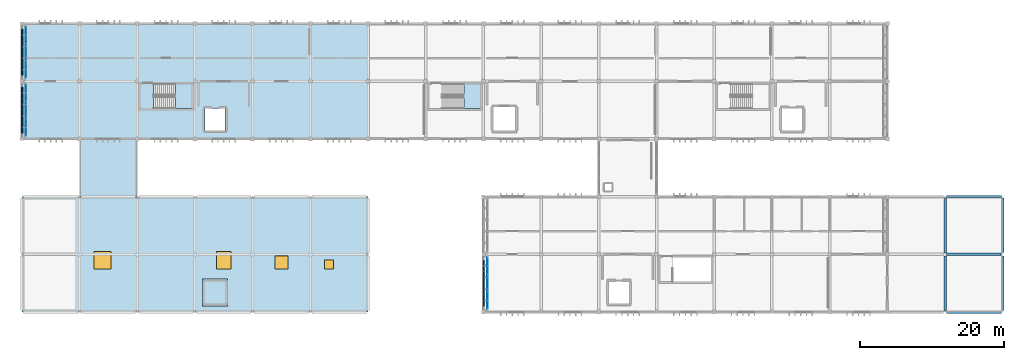
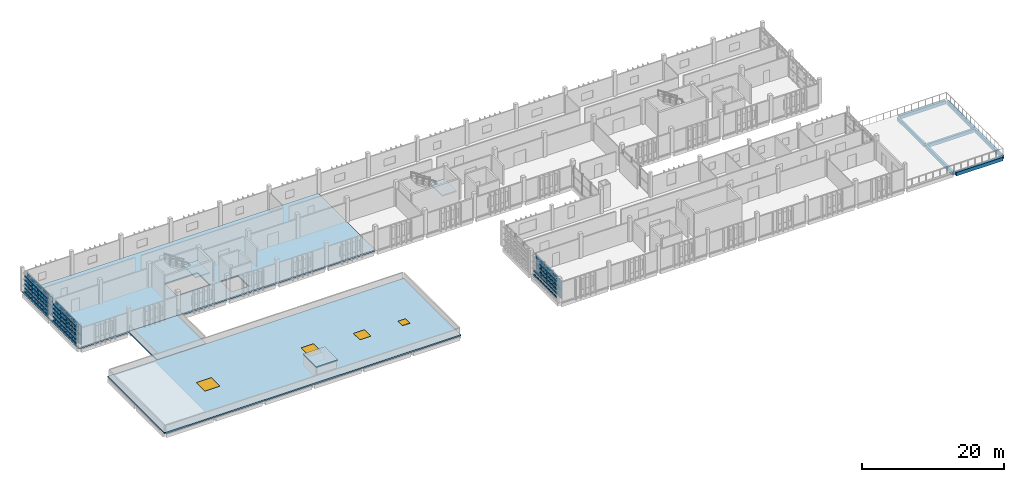
# One storey, part 17 of 32: 75 plates, 7 beams, 6 slabs, 3 windows, 1 door, 4 openings, 5 elements without a shape of their own.
"""IFC4 building model written with IfcOpenShell, lengths in metres."""

from ifc_helpers import new_model, si_unit, direction, frame, origin, origin_2d, place, context, subcontext, project, spatial, polyline, rectangle, outline, extrude, material, layer, layer_set, material_profile, profile_set, type_object, element, fill, aggregate, save


model = new_model("IFC4")

# Units and contexts
model_context = context("Model", 3, precision=1e-05, world=origin(), true_north=direction((0.0, 1.0)))
body_context = subcontext(model_context, "Body", "Model", "MODEL_VIEW")
ifc_project = project(units=[si_unit("LENGTHUNIT", "METRE"), si_unit("AREAUNIT", "SQUARE_METRE"), si_unit("VOLUMEUNIT", "CUBIC_METRE"), si_unit("PLANEANGLEUNIT", "RADIAN"), si_unit("MASSUNIT", "GRAM", prefix="KILO")], contexts=[model_context])

# Site, building, storey
site_placement = place(None, origin())
site = spatial("IfcSite", under=ifc_project, at=site_placement, CompositionType="ELEMENT")
building_placement = place(site_placement, origin())
building = spatial("IfcBuilding", under=site, at=building_placement, Name="Jelvoka-Kovrelna Polytechnic", CompositionType="ELEMENT")
storey_placement = place(building_placement, frame((0.0, 0.0, 26.39990234375)))
storey = spatial("IfcBuildingStorey", under=building, at=storey_placement, Name="L07", CompositionType="ELEMENT", Elevation=26.39990234375)

# Beams
ifc_material_1 = material(Name="Concrete C35/45", Category="concrete")
ifc_material_profile_1 = material_profile(ifc_material_1, rectangle(XDim=0.35009765625, YDim=0.60009765625, at=origin_2d()), Name="RC 350x600")
ifc_profile_set_1 = profile_set([ifc_material_profile_1], Name="Concrete C35/45")
beam_type_1 = type_object("IfcBeamType", Name="Beam_RC_350x600", PredefinedType="BEAM", material=ifc_profile_set_1)
for number, where, z_axis, x_axis, name in (
    (1, (192.205078125, 40.0, -0.52001953125), (1.0, 0.0, 0.0), (0.0, 1.0, 0.0), "L07 beam 1906"),
    (2, (192.0, 32.22998046875, -0.52001953125), (0.0, 1.0, 0.0), (-1.0, 0.0, 0.0), "L07 beam 1909"),
    (3, (192.0, 40.205078125, -0.52001953125), (0.0, 1.0, 0.0), (-1.0, 0.0, 0.0), "L07 beam 1910"),
    (4, (200.0, 32.205078125, -0.52001953125), (0.0, 1.0, 0.0), (-1.0, 0.0, 0.0), "L07 beam 1911"),
    (5, (200.0, 40.22998046875, -0.52001953125), (0.0, 1.0, 0.0), (-1.0, 0.0, 0.0), "L07 beam 1912"),
):
    element("IfcBeam", number, at=place(storey_placement, frame(where, z_axis=z_axis, x_axis=x_axis)), inside=storey, type_object=beam_type_1, Name=name, PredefinedType="BEAM", context=body_context, shape_type="SweptSolid", body=[
        extrude(rectangle(XDim=0.35009765625, YDim=0.60009765625, at=origin_2d()), origin(), (0.0, 0.0, 1.0), 7.56494140625),
    ])
ifc_material_2 = material(Name="Concrete C40/50", Category="concrete")
ifc_material_profile_2 = material_profile(ifc_material_2, rectangle(XDim=0.35009765625, YDim=0.60009765625, at=origin_2d()), Name="RC 350x600")
ifc_profile_set_2 = profile_set([ifc_material_profile_2], Name="Concrete C40/50")
beam_type_2 = type_object("IfcBeamType", Name="Spandrel_RC_350x600", PredefinedType="SPANDREL", material=ifc_profile_set_2)
for number, where, z_axis, x_axis, name in (
    (6, (192.22998046875, 32.0, -0.52001953125), (1.0, 0.0, 0.0), (0.0, 1.0, 0.0), "L07 beam 1904"),
    (7, (192.22998046875, 48.0, -0.52001953125), (1.0, 0.0, 0.0), (0.0, 1.0, 0.0), "L07 beam 1908"),
):
    element("IfcBeam", number, at=place(storey_placement, frame(where, z_axis=z_axis, x_axis=x_axis)), inside=storey, type_object=beam_type_2, Name=name, PredefinedType="SPANDREL", context=body_context, shape_type="SweptSolid", body=[
        extrude(rectangle(XDim=0.35009765625, YDim=0.60009765625, at=origin_2d()), origin(), (0.0, 0.0, 1.0), 7.56494140625),
    ])

# Curtain wall, plates
ifc_material_3 = material(Name="Anodised aluminium 6063-T6", Category="aluminium")
ifc_layer_1 = layer(ifc_material_3, 0.159912109375)
ifc_layer_set_1 = layer_set([ifc_layer_1], Name="Anodised aluminium 6063-T6")
curtain_wall_type_1 = type_object("IfcCurtainWallType", Name="CW_Recessed_A", PredefinedType="NOTDEFINED", material=ifc_layer_set_1)
curtain_wall_1_placement = place(storey_placement, origin())
curtain_wall_1 = element("IfcCurtainWall", 8, at=curtain_wall_1_placement, inside=storey, type_object=curtain_wall_type_1, Name="L07 glazed curtain wall 078", PredefinedType="NOTDEFINED")
ifc_material_4 = material(Name="Solar-control double glazing", Category="glass")
ifc_layer_2 = layer(ifc_material_4, 0.028076171875)
ifc_layer_set_2 = layer_set([ifc_layer_2], Name="Solar-control double glazing")
plate_type_1 = type_object("IfcPlateType", Name="Panel_GP-01", PredefinedType="CURTAIN_PANEL", material=ifc_layer_set_2)
plate_1_placement = place(storey_placement, frame((128.56005859375, 33.614990234375, 0.052001953125), z_axis=(0.0, 0.0, 1.0), x_axis=(0.0, 1.0, 0.0)))
plate_1 = element("IfcPlate", 9, at=plate_1_placement, type_object=plate_type_1, Name="CW-01 panel 1.1", PredefinedType="CURTAIN_PANEL", context=body_context, shape_type="SweptSolid", body=[
    extrude(rectangle(XDim=2.326171875, YDim=0.028076171875, at=origin_2d()), origin(), (0.0, 0.0, 1.0), 1.60107421875),
])
plate_2_placement = place(storey_placement, frame((128.56005859375, 33.614990234375, 1.697021484375), z_axis=(0.0, 0.0, 1.0), x_axis=(0.0, 1.0, 0.0)))
plate_2 = element("IfcPlate", 10, at=plate_2_placement, type_object=plate_type_1, Name="CW-01 panel 1.2", PredefinedType="CURTAIN_PANEL", context=body_context, shape_type="SweptSolid", body=[
    extrude(rectangle(XDim=2.326171875, YDim=0.028076171875, at=origin_2d()), origin(), (0.0, 0.0, 1.0), 1.60107421875),
])
plate_3_placement = place(storey_placement, frame((128.56005859375, 36.0, 0.052001953125), z_axis=(0.0, 0.0, 1.0), x_axis=(0.0, 1.0, 0.0)))
plate_3 = element("IfcPlate", 11, at=plate_3_placement, type_object=plate_type_1, Name="CW-01 panel 2.1", PredefinedType="CURTAIN_PANEL", context=body_context, shape_type="SweptSolid", body=[
    extrude(rectangle(XDim=2.356201171875, YDim=0.028076171875, at=origin_2d()), origin(), (0.0, 0.0, 1.0), 1.60107421875),
])
plate_4_placement = place(storey_placement, frame((128.56005859375, 36.0, 1.697021484375), z_axis=(0.0, 0.0, 1.0), x_axis=(0.0, 1.0, 0.0)))
plate_4 = element("IfcPlate", 12, at=plate_4_placement, type_object=plate_type_1, Name="CW-01 panel 2.2", PredefinedType="CURTAIN_PANEL", context=body_context, shape_type="SweptSolid", body=[
    extrude(rectangle(XDim=2.356201171875, YDim=0.028076171875, at=origin_2d()), origin(), (0.0, 0.0, 1.0), 1.60107421875),
])
plate_5_placement = place(storey_placement, frame((128.56005859375, 38.385009765625, 0.052001953125), z_axis=(0.0, 0.0, 1.0), x_axis=(0.0, 1.0, 0.0)))
plate_5 = element("IfcPlate", 13, at=plate_5_placement, type_object=plate_type_1, Name="CW-01 panel 3.1", PredefinedType="CURTAIN_PANEL", context=body_context, shape_type="SweptSolid", body=[
    extrude(rectangle(XDim=2.326171875, YDim=0.028076171875, at=origin_2d()), origin(), (0.0, 0.0, 1.0), 1.60107421875),
])
plate_6_placement = place(storey_placement, frame((128.56005859375, 38.385009765625, 1.697021484375), z_axis=(0.0, 0.0, 1.0), x_axis=(0.0, 1.0, 0.0)))
plate_6 = element("IfcPlate", 14, at=plate_6_placement, type_object=plate_type_1, Name="CW-01 panel 3.2", PredefinedType="CURTAIN_PANEL", context=body_context, shape_type="SweptSolid", body=[
    extrude(rectangle(XDim=2.326171875, YDim=0.028076171875, at=origin_2d()), origin(), (0.0, 0.0, 1.0), 1.60107421875),
])
aggregate(curtain_wall_1, [plate_1, plate_2, plate_3, plate_4, plate_5, plate_6])

ifc_material_5 = material(Name="Anodised aluminium 6063-T6", Category="aluminium")
ifc_layer_3 = layer(ifc_material_5, 0.179931640625)
ifc_layer_set_3 = layer_set([ifc_layer_3], Name="Anodised aluminium 6063-T6")
curtain_wall_type_2 = type_object("IfcCurtainWallType", Name="CW_Recessed_B", PredefinedType="NOTDEFINED", material=ifc_layer_set_3)
curtain_wall_2_placement = place(storey_placement, origin())
curtain_wall_2 = element("IfcCurtainWall", 15, at=curtain_wall_2_placement, inside=storey, type_object=curtain_wall_type_2, Name="L07 glazed curtain wall 093", PredefinedType="NOTDEFINED")
ifc_material_6 = material(Name="Solar-control double glazing", Category="glass")
ifc_layer_4 = layer(ifc_material_6, 0.031982421875)
ifc_layer_set_4 = layer_set([ifc_layer_4], Name="Solar-control double glazing")
plate_type_2 = type_object("IfcPlateType", Name="Panel_GP-02", PredefinedType="CURTAIN_PANEL", material=ifc_layer_set_4)
plate_7_placement = place(storey_placement, frame((64.56005859375, 57.6162109375, 0.056884765625), z_axis=(0.0, 0.0, 1.0), x_axis=(0.0, 1.0, 0.0)))
plate_7 = element("IfcPlate", 16, at=plate_7_placement, type_object=plate_type_2, Name="CW-02 panel 1.1", PredefinedType="CURTAIN_PANEL", context=body_context, shape_type="SweptSolid", body=[
    extrude(rectangle(XDim=2.318603515625, YDim=0.031982421875, at=origin_2d()), origin(), (0.0, 0.0, 1.0), 1.593505859375),
])
plate_8_placement = place(storey_placement, frame((64.56005859375, 57.6162109375, 1.699462890625), z_axis=(0.0, 0.0, 1.0), x_axis=(0.0, 1.0, 0.0)))
plate_8 = element("IfcPlate", 17, at=plate_8_placement, type_object=plate_type_2, Name="CW-02 panel 1.2", PredefinedType="CURTAIN_PANEL", context=body_context, shape_type="SweptSolid", body=[
    extrude(rectangle(XDim=2.318603515625, YDim=0.031982421875, at=origin_2d()), origin(), (0.0, 0.0, 1.0), 1.593505859375),
])
plate_9_placement = place(storey_placement, frame((64.56005859375, 60.0, 0.056884765625), z_axis=(0.0, 0.0, 1.0), x_axis=(0.0, 1.0, 0.0)))
plate_9 = element("IfcPlate", 18, at=plate_9_placement, type_object=plate_type_2, Name="CW-02 panel 2.1", PredefinedType="CURTAIN_PANEL", context=body_context, shape_type="SweptSolid", body=[
    extrude(rectangle(XDim=2.35107421875, YDim=0.031982421875, at=origin_2d()), origin(), (0.0, 0.0, 1.0), 1.593505859375),
])
plate_10_placement = place(storey_placement, frame((64.56005859375, 60.0, 1.699462890625), z_axis=(0.0, 0.0, 1.0), x_axis=(0.0, 1.0, 0.0)))
plate_10 = element("IfcPlate", 19, at=plate_10_placement, type_object=plate_type_2, Name="CW-02 panel 2.2", PredefinedType="CURTAIN_PANEL", context=body_context, shape_type="SweptSolid", body=[
    extrude(rectangle(XDim=2.35107421875, YDim=0.031982421875, at=origin_2d()), origin(), (0.0, 0.0, 1.0), 1.593505859375),
])
plate_11_placement = place(storey_placement, frame((64.56005859375, 62.3837890625, 0.056884765625), z_axis=(0.0, 0.0, 1.0), x_axis=(0.0, 1.0, 0.0)))
plate_11 = element("IfcPlate", 20, at=plate_11_placement, type_object=plate_type_2, Name="CW-02 panel 3.1", PredefinedType="CURTAIN_PANEL", context=body_context, shape_type="SweptSolid", body=[
    extrude(rectangle(XDim=2.318603515625, YDim=0.031982421875, at=origin_2d()), origin(), (0.0, 0.0, 1.0), 1.593505859375),
])
plate_12_placement = place(storey_placement, frame((64.56005859375, 62.3837890625, 1.699462890625), z_axis=(0.0, 0.0, 1.0), x_axis=(0.0, 1.0, 0.0)))
plate_12 = element("IfcPlate", 21, at=plate_12_placement, type_object=plate_type_2, Name="CW-02 panel 3.2", PredefinedType="CURTAIN_PANEL", context=body_context, shape_type="SweptSolid", body=[
    extrude(rectangle(XDim=2.318603515625, YDim=0.031982421875, at=origin_2d()), origin(), (0.0, 0.0, 1.0), 1.593505859375),
])
aggregate(curtain_wall_2, [plate_7, plate_8, plate_9, plate_10, plate_11, plate_12])

curtain_wall_3_placement = place(storey_placement, origin())
curtain_wall_3 = element("IfcCurtainWall", 22, at=curtain_wall_3_placement, inside=storey, type_object=curtain_wall_type_2, Name="L07 glazed curtain wall 094", PredefinedType="NOTDEFINED")
plate_13_placement = place(storey_placement, frame((64.56005859375, 65.6162109375, 0.056884765625), z_axis=(0.0, 0.0, 1.0), x_axis=(0.0, 1.0, 0.0)))
plate_13 = element("IfcPlate", 23, at=plate_13_placement, type_object=plate_type_2, Name="CW-02 panel 1.1", PredefinedType="CURTAIN_PANEL", context=body_context, shape_type="SweptSolid", body=[
    extrude(rectangle(XDim=2.318603515625, YDim=0.031982421875, at=origin_2d()), origin(), (0.0, 0.0, 1.0), 1.593505859375),
])
plate_14_placement = place(storey_placement, frame((64.56005859375, 65.6162109375, 1.699462890625), z_axis=(0.0, 0.0, 1.0), x_axis=(0.0, 1.0, 0.0)))
plate_14 = element("IfcPlate", 24, at=plate_14_placement, type_object=plate_type_2, Name="CW-02 panel 1.2", PredefinedType="CURTAIN_PANEL", context=body_context, shape_type="SweptSolid", body=[
    extrude(rectangle(XDim=2.318603515625, YDim=0.031982421875, at=origin_2d()), origin(), (0.0, 0.0, 1.0), 1.593505859375),
])
plate_15_placement = place(storey_placement, frame((64.56005859375, 68.0, 0.056884765625), z_axis=(0.0, 0.0, 1.0), x_axis=(0.0, 1.0, 0.0)))
plate_15 = element("IfcPlate", 25, at=plate_15_placement, type_object=plate_type_2, Name="CW-02 panel 2.1", PredefinedType="CURTAIN_PANEL", context=body_context, shape_type="SweptSolid", body=[
    extrude(rectangle(XDim=2.35107421875, YDim=0.031982421875, at=origin_2d()), origin(), (0.0, 0.0, 1.0), 1.593505859375),
])
plate_16_placement = place(storey_placement, frame((64.56005859375, 68.0, 1.699462890625), z_axis=(0.0, 0.0, 1.0), x_axis=(0.0, 1.0, 0.0)))
plate_16 = element("IfcPlate", 26, at=plate_16_placement, type_object=plate_type_2, Name="CW-02 panel 2.2", PredefinedType="CURTAIN_PANEL", context=body_context, shape_type="SweptSolid", body=[
    extrude(rectangle(XDim=2.35107421875, YDim=0.031982421875, at=origin_2d()), origin(), (0.0, 0.0, 1.0), 1.593505859375),
])
plate_17_placement = place(storey_placement, frame((64.56005859375, 70.3837890625, 0.056884765625), z_axis=(0.0, 0.0, 1.0), x_axis=(0.0, 1.0, 0.0)))
plate_17 = element("IfcPlate", 27, at=plate_17_placement, type_object=plate_type_2, Name="CW-02 panel 3.1", PredefinedType="CURTAIN_PANEL", context=body_context, shape_type="SweptSolid", body=[
    extrude(rectangle(XDim=2.318603515625, YDim=0.031982421875, at=origin_2d()), origin(), (0.0, 0.0, 1.0), 1.593505859375),
])
plate_18_placement = place(storey_placement, frame((64.56005859375, 70.3837890625, 1.699462890625), z_axis=(0.0, 0.0, 1.0), x_axis=(0.0, 1.0, 0.0)))
plate_18 = element("IfcPlate", 28, at=plate_18_placement, type_object=plate_type_2, Name="CW-02 panel 3.2", PredefinedType="CURTAIN_PANEL", context=body_context, shape_type="SweptSolid", body=[
    extrude(rectangle(XDim=2.318603515625, YDim=0.031982421875, at=origin_2d()), origin(), (0.0, 0.0, 1.0), 1.593505859375),
])
aggregate(curtain_wall_3, [plate_13, plate_14, plate_15, plate_16, plate_17, plate_18])

# Plates
ifc_material_7 = material(Name="Perforated fired terracotta block", Category="masonry")
ifc_layer_5 = layer(ifc_material_7, 0.14990234375)
ifc_layer_set_5 = layer_set([ifc_layer_5], Name="Perforated fired terracotta block")
plate_type_3 = type_object("IfcPlateType", Name="Screen_Terracotta_TP03", PredefinedType="USERDEFINED", material=ifc_layer_set_5)
for number, where, z_axis, x_axis, name in (
    (29, (128.02001953125, 33.60009765625, 0.18994140625), (0.0, 0.0, 1.0), (0.0, 1.0, 0.0), "L07 perforated terracotta lattice band 0901"),
    (30, (128.02001953125, 33.60009765625, 0.8828125), (0.0, 0.0, 1.0), (0.0, 1.0, 0.0), "L07 perforated terracotta lattice band 0902"),
    (31, (128.02001953125, 33.60009765625, 1.5751953125), (0.0, 0.0, 1.0), (0.0, 1.0, 0.0), "L07 perforated terracotta lattice band 0903"),
    (32, (128.02001953125, 33.60009765625, 2.267578125), (0.0, 0.0, 1.0), (0.0, 1.0, 0.0), "L07 perforated terracotta lattice band 0904"),
    (33, (128.02001953125, 33.60009765625, 2.9599609375), (0.0, 0.0, 1.0), (0.0, 1.0, 0.0), "L07 perforated terracotta lattice band 0905"),
    (34, (128.02001953125, 35.199951171875, 0.18994140625), (0.0, 0.0, 1.0), (0.0, 1.0, 0.0), "L07 perforated terracotta lattice band 0906"),
    (35, (128.02001953125, 35.199951171875, 0.8828125), (0.0, 0.0, 1.0), (0.0, 1.0, 0.0), "L07 perforated terracotta lattice band 0907"),
    (36, (128.02001953125, 35.199951171875, 1.5751953125), (0.0, 0.0, 1.0), (0.0, 1.0, 0.0), "L07 perforated terracotta lattice band 0908"),
    (37, (128.02001953125, 35.199951171875, 2.267578125), (0.0, 0.0, 1.0), (0.0, 1.0, 0.0), "L07 perforated terracotta lattice band 0909"),
    (38, (128.02001953125, 35.199951171875, 2.9599609375), (0.0, 0.0, 1.0), (0.0, 1.0, 0.0), "L07 perforated terracotta lattice band 0910"),
    (39, (128.02001953125, 36.800048828125, 0.18994140625), (0.0, 0.0, 1.0), (0.0, 1.0, 0.0), "L07 perforated terracotta lattice band 0911"),
    (40, (128.02001953125, 36.800048828125, 0.8828125), (0.0, 0.0, 1.0), (0.0, 1.0, 0.0), "L07 perforated terracotta lattice band 0912"),
    (41, (128.02001953125, 36.800048828125, 1.5751953125), (0.0, 0.0, 1.0), (0.0, 1.0, 0.0), "L07 perforated terracotta lattice band 0913"),
    (42, (128.02001953125, 36.800048828125, 2.267578125), (0.0, 0.0, 1.0), (0.0, 1.0, 0.0), "L07 perforated terracotta lattice band 0914"),
    (43, (128.02001953125, 36.800048828125, 2.9599609375), (0.0, 0.0, 1.0), (0.0, 1.0, 0.0), "L07 perforated terracotta lattice band 0915"),
    (44, (128.02001953125, 38.39990234375, 0.18994140625), (0.0, 0.0, 1.0), (0.0, 1.0, 0.0), "L07 perforated terracotta lattice band 0916"),
    (45, (128.02001953125, 38.39990234375, 0.8828125), (0.0, 0.0, 1.0), (0.0, 1.0, 0.0), "L07 perforated terracotta lattice band 0917"),
):
    element("IfcPlate", number, at=place(storey_placement, frame(where, z_axis=z_axis, x_axis=x_axis)), inside=storey, type_object=plate_type_3, Name=name, ObjectType="SCREEN PANEL", PredefinedType="USERDEFINED", context=body_context, shape_type="SweptSolid", body=[
        extrude(rectangle(XDim=1.56005859375, YDim=0.14990234375, at=origin_2d()), origin(), (0.0, 0.0, 1.0), 0.260009765625),
    ])
ifc_material_8 = material(Name="Perforated fired terracotta block", Category="masonry")
ifc_layer_6 = layer(ifc_material_8, 0.169921875)
ifc_layer_set_6 = layer_set([ifc_layer_6], Name="Perforated fired terracotta block")
plate_type_4 = type_object("IfcPlateType", Name="Screen_Terracotta_TP04", PredefinedType="USERDEFINED", material=ifc_layer_set_6)
for number, where, z_axis, x_axis, name in (
    (46, (64.02001953125, 57.60009765625, 0.18994140625), (0.0, 0.0, 1.0), (0.0, 1.0, 0.0), "L07 perforated terracotta lattice band 1201"),
    (47, (64.02001953125, 57.60009765625, 0.8828125), (0.0, 0.0, 1.0), (0.0, 1.0, 0.0), "L07 perforated terracotta lattice band 1202"),
    (48, (64.02001953125, 57.60009765625, 1.5751953125), (0.0, 0.0, 1.0), (0.0, 1.0, 0.0), "L07 perforated terracotta lattice band 1203"),
    (49, (64.02001953125, 57.60009765625, 2.267578125), (0.0, 0.0, 1.0), (0.0, 1.0, 0.0), "L07 perforated terracotta lattice band 1204"),
    (50, (64.02001953125, 57.60009765625, 2.9599609375), (0.0, 0.0, 1.0), (0.0, 1.0, 0.0), "L07 perforated terracotta lattice band 1205"),
    (51, (64.02001953125, 59.199951171875, 0.18994140625), (0.0, 0.0, 1.0), (0.0, 1.0, 0.0), "L07 perforated terracotta lattice band 1206"),
    (52, (64.02001953125, 59.199951171875, 0.8828125), (0.0, 0.0, 1.0), (0.0, 1.0, 0.0), "L07 perforated terracotta lattice band 1207"),
    (53, (64.02001953125, 59.199951171875, 1.5751953125), (0.0, 0.0, 1.0), (0.0, 1.0, 0.0), "L07 perforated terracotta lattice band 1208"),
    (54, (64.02001953125, 59.199951171875, 2.267578125), (0.0, 0.0, 1.0), (0.0, 1.0, 0.0), "L07 perforated terracotta lattice band 1209"),
    (55, (64.02001953125, 59.199951171875, 2.9599609375), (0.0, 0.0, 1.0), (0.0, 1.0, 0.0), "L07 perforated terracotta lattice band 1210"),
    (56, (64.02001953125, 60.800048828125, 0.18994140625), (0.0, 0.0, 1.0), (0.0, 1.0, 0.0), "L07 perforated terracotta lattice band 1211"),
    (57, (64.02001953125, 60.800048828125, 0.8828125), (0.0, 0.0, 1.0), (0.0, 1.0, 0.0), "L07 perforated terracotta lattice band 1212"),
    (58, (64.02001953125, 60.800048828125, 1.5751953125), (0.0, 0.0, 1.0), (0.0, 1.0, 0.0), "L07 perforated terracotta lattice band 1213"),
    (59, (64.02001953125, 60.800048828125, 2.267578125), (0.0, 0.0, 1.0), (0.0, 1.0, 0.0), "L07 perforated terracotta lattice band 1214"),
    (60, (64.02001953125, 60.800048828125, 2.9599609375), (0.0, 0.0, 1.0), (0.0, 1.0, 0.0), "L07 perforated terracotta lattice band 1215"),
    (61, (64.02001953125, 62.39990234375, 0.18994140625), (0.0, 0.0, 1.0), (0.0, 1.0, 0.0), "L07 perforated terracotta lattice band 1216"),
    (62, (64.02001953125, 62.39990234375, 0.8828125), (0.0, 0.0, 1.0), (0.0, 1.0, 0.0), "L07 perforated terracotta lattice band 1217"),
    (63, (64.02001953125, 62.39990234375, 1.5751953125), (0.0, 0.0, 1.0), (0.0, 1.0, 0.0), "L07 perforated terracotta lattice band 1218"),
    (64, (64.02001953125, 62.39990234375, 2.267578125), (0.0, 0.0, 1.0), (0.0, 1.0, 0.0), "L07 perforated terracotta lattice band 1219"),
    (65, (64.02001953125, 62.39990234375, 2.9599609375), (0.0, 0.0, 1.0), (0.0, 1.0, 0.0), "L07 perforated terracotta lattice band 1220"),
    (66, (64.02001953125, 65.60009765625, 0.18994140625), (0.0, 0.0, 1.0), (0.0, 1.0, 0.0), "L07 perforated terracotta lattice band 1221"),
    (67, (64.02001953125, 65.60009765625, 0.8828125), (0.0, 0.0, 1.0), (0.0, 1.0, 0.0), "L07 perforated terracotta lattice band 1222"),
    (68, (64.02001953125, 65.60009765625, 1.5751953125), (0.0, 0.0, 1.0), (0.0, 1.0, 0.0), "L07 perforated terracotta lattice band 1223"),
    (69, (64.02001953125, 65.60009765625, 2.267578125), (0.0, 0.0, 1.0), (0.0, 1.0, 0.0), "L07 perforated terracotta lattice band 1224"),
    (70, (64.02001953125, 65.60009765625, 2.9599609375), (0.0, 0.0, 1.0), (0.0, 1.0, 0.0), "L07 perforated terracotta lattice band 1225"),
    (71, (64.02001953125, 67.199951171875, 0.18994140625), (0.0, 0.0, 1.0), (0.0, 1.0, 0.0), "L07 perforated terracotta lattice band 1226"),
    (72, (64.02001953125, 67.199951171875, 0.8828125), (0.0, 0.0, 1.0), (0.0, 1.0, 0.0), "L07 perforated terracotta lattice band 1227"),
    (73, (64.02001953125, 67.199951171875, 1.5751953125), (0.0, 0.0, 1.0), (0.0, 1.0, 0.0), "L07 perforated terracotta lattice band 1228"),
    (74, (64.02001953125, 67.199951171875, 2.267578125), (0.0, 0.0, 1.0), (0.0, 1.0, 0.0), "L07 perforated terracotta lattice band 1229"),
    (75, (64.02001953125, 67.199951171875, 2.9599609375), (0.0, 0.0, 1.0), (0.0, 1.0, 0.0), "L07 perforated terracotta lattice band 1230"),
    (76, (64.02001953125, 68.800048828125, 0.18994140625), (0.0, 0.0, 1.0), (0.0, 1.0, 0.0), "L07 perforated terracotta lattice band 1231"),
    (77, (64.02001953125, 68.800048828125, 0.8828125), (0.0, 0.0, 1.0), (0.0, 1.0, 0.0), "L07 perforated terracotta lattice band 1232"),
    (78, (64.02001953125, 68.800048828125, 1.5751953125), (0.0, 0.0, 1.0), (0.0, 1.0, 0.0), "L07 perforated terracotta lattice band 1233"),
    (79, (64.02001953125, 68.800048828125, 2.267578125), (0.0, 0.0, 1.0), (0.0, 1.0, 0.0), "L07 perforated terracotta lattice band 1234"),
    (80, (64.02001953125, 68.800048828125, 2.9599609375), (0.0, 0.0, 1.0), (0.0, 1.0, 0.0), "L07 perforated terracotta lattice band 1235"),
    (81, (64.02001953125, 70.39990234375, 0.18994140625), (0.0, 0.0, 1.0), (0.0, 1.0, 0.0), "L07 perforated terracotta lattice band 1236"),
    (82, (64.02001953125, 70.39990234375, 0.8828125), (0.0, 0.0, 1.0), (0.0, 1.0, 0.0), "L07 perforated terracotta lattice band 1237"),
    (83, (64.02001953125, 70.39990234375, 1.5751953125), (0.0, 0.0, 1.0), (0.0, 1.0, 0.0), "L07 perforated terracotta lattice band 1238"),
    (84, (64.02001953125, 70.39990234375, 2.267578125), (0.0, 0.0, 1.0), (0.0, 1.0, 0.0), "L07 perforated terracotta lattice band 1239"),
    (85, (64.02001953125, 70.39990234375, 2.9599609375), (0.0, 0.0, 1.0), (0.0, 1.0, 0.0), "L07 perforated terracotta lattice band 1240"),
):
    element("IfcPlate", number, at=place(storey_placement, frame(where, z_axis=z_axis, x_axis=x_axis)), inside=storey, type_object=plate_type_4, Name=name, ObjectType="SCREEN PANEL", PredefinedType="USERDEFINED", context=body_context, shape_type="SweptSolid", body=[
        extrude(rectangle(XDim=1.56005859375, YDim=0.169921875, at=origin_2d()), origin(), (0.0, 0.0, 1.0), 0.260009765625),
    ])

# Slabs
ifc_material_9 = material(Name="Concrete C35/45", Category="concrete")
ifc_layer_7 = layer(ifc_material_9, 0.239990234375)
ifc_layer_set_7 = layer_set([ifc_layer_7], Name="Concrete C35/45")
slab_type_1 = type_object("IfcSlabType", Name="Slab_Floor_240", PredefinedType="FLOOR", material=ifc_layer_set_7)
slab_1_placement = place(storey_placement, frame((0.0, 0.0, -0.239990234375)))
element("IfcSlab", 86, at=slab_1_placement, inside=storey, type_object=slab_type_1, Name="L07 B3W structural slab", PredefinedType="FLOOR", context=body_context, shape_type="SweptSolid", body=[
    extrude(outline(polyline([(64.0, 56.0), (112.0, 56.0), (112.0, 72.0), (64.0, 72.0), (64.0, 56.0)]), holes=[polyline([(89.39990234375, 57.199951171875), (92.199951171875, 57.199951171875), (92.199951171875, 60.199951171875), (89.39990234375, 60.199951171875), (89.39990234375, 57.199951171875)]), polyline([(82.264892578125, 60.199951171875), (87.60009765625, 60.199951171875), (87.60009765625, 63.639892578125), (82.264892578125, 63.639892578125), (82.264892578125, 60.199951171875)])]), origin(), (0.0, 0.0, 1.0), 0.239990234375),
])
ifc_material_10 = material(Name="Concrete C35/45", Category="concrete")
ifc_layer_8 = layer(ifc_material_10, 0.2099609375)
ifc_layer_set_8 = layer_set([ifc_layer_8], Name="Concrete C35/45")
slab_type_2 = type_object("IfcSlabType", Name="Slab_Roof_Flat_210", PredefinedType="ROOF", material=ifc_layer_set_8)
slab_2_placement = place(storey_placement, frame((0.0, 0.0, -0.2099609375)))
element("IfcSlab", 87, at=slab_2_placement, inside=storey, type_object=slab_type_2, Name="L07 north-west courtyard link LNKNW roof", PredefinedType="ROOF", context=body_context, shape_type="SweptSolid", body=[
    extrude(outline(polyline([(72.0, 48.0), (80.0, 48.0), (80.0, 56.0), (72.0, 56.0), (72.0, 48.0)])), origin(), (0.0, 0.0, 1.0), 0.2099609375),
])
slab_3_placement = place(storey_placement, frame((0.0, 0.0, 1.800048828125)))
element("IfcSlab", 88, at=slab_3_placement, inside=storey, type_object=slab_type_2, Name="L07 lift overrun flat roof cap LF-P1", PredefinedType="ROOF", context=body_context, shape_type="SweptSolid", body=[
    extrude(outline(polyline([(89.050048828125, 32.85009765625), (92.550048828125, 32.85009765625), (92.550048828125, 36.550048828125), (89.050048828125, 36.550048828125), (89.050048828125, 32.85009765625)])), origin(), (0.0, 0.0, 1.0), 0.2099609375),
])

# Slab, openings, door, windows
ifc_material_11 = material(Name="Concrete C35/45", Category="concrete")
ifc_layer_9 = layer(ifc_material_11, 0.239990234375)
ifc_layer_set_9 = layer_set([ifc_layer_9], Name="Concrete C35/45")
slab_type_3 = type_object("IfcSlabType", Name="Slab_Roof_Flat_240", PredefinedType="ROOF", material=ifc_layer_set_9)
slab_4_placement = place(storey_placement, frame((0.0, 0.0, -0.239990234375)))
slab_4 = element("IfcSlab", 89, at=slab_4_placement, inside=storey, type_object=slab_type_3, Name="L07 central-west bar B2W flat roof", PredefinedType="ROOF", context=body_context, shape_type="SweptSolid", body=[
    extrude(outline(polyline([(64.0, 32.0), (112.0, 32.0), (112.0, 48.0), (64.0, 48.0), (64.0, 32.0)]), holes=[polyline([(74.0, 38.0), (76.39990234375, 38.0), (76.39990234375, 40.39990234375), (74.0, 40.39990234375), (74.0, 38.0)]), polyline([(91.0, 38.0), (93.0, 38.0), (93.0, 40.39990234375), (91.0, 40.39990234375), (91.0, 38.0)]), polyline([(99.10009765625, 38.0), (100.89990234375, 38.0), (100.89990234375, 39.800048828125), (99.10009765625, 39.800048828125), (99.10009765625, 38.0)]), polyline([(106.0, 38.0), (107.199951171875, 38.0), (107.199951171875, 39.199951171875), (106.0, 39.199951171875), (106.0, 38.0)])]), origin(), (0.0, 0.0, 1.0), 0.239990234375),
])
opening_1_placement = place(slab_4_placement, frame((75.199951171875, 39.199951171875, 0.0)))
opening_1 = element("IfcOpeningElement", 90, at=opening_1_placement, cuts=slab_4, Name="Opening SK-L07-B2W-1", PredefinedType="OPENING", context=body_context, shape_type="SweptSolid", body=[
    extrude(rectangle(XDim=2.39990234375, YDim=2.39990234375, at=origin_2d()), frame((0.0, 0.0, -0.010009765625)), (0.0, 0.0, 1.0), 0.260009765625),
])
opening_2_placement = place(slab_4_placement, frame((92.0, 39.199951171875, 0.0)))
opening_2 = element("IfcOpeningElement", 91, at=opening_2_placement, cuts=slab_4, Name="Opening SK-L07-B2W-2", PredefinedType="OPENING", context=body_context, shape_type="SweptSolid", body=[
    extrude(rectangle(XDim=2.0, YDim=2.39990234375, at=origin_2d()), frame((0.0, 0.0, -0.010009765625)), (0.0, 0.0, 1.0), 0.260009765625),
])
opening_3_placement = place(slab_4_placement, frame((100.0, 38.89990234375, 0.0)))
opening_3 = element("IfcOpeningElement", 92, at=opening_3_placement, cuts=slab_4, Name="Opening SK-L07-B2W-3", PredefinedType="OPENING", context=body_context, shape_type="SweptSolid", body=[
    extrude(rectangle(XDim=1.800048828125, YDim=1.800048828125, at=origin_2d()), frame((0.0, 0.0, -0.010009765625)), (0.0, 0.0, 1.0), 0.260009765625),
])
opening_4_placement = place(slab_4_placement, frame((106.60009765625, 38.60009765625, 0.0)))
opening_4 = element("IfcOpeningElement", 93, at=opening_4_placement, cuts=slab_4, Name="Opening HT-L07-01", PredefinedType="OPENING", context=body_context, shape_type="SweptSolid", body=[
    extrude(rectangle(XDim=1.199951171875, YDim=1.199951171875, at=origin_2d()), frame((0.0, 0.0, -0.010009765625)), (0.0, 0.0, 1.0), 0.31005859375),
])
ifc_material_12 = material(Name="Powder-coated aluminium and laminated safety glass", Category="aluminium")
door_type = type_object("IfcDoorType", Name="Hatch_Roof_1200x1200", OperationType="NOTDEFINED", PredefinedType="TRAPDOOR", material=ifc_material_12)
door_placement = place(opening_4_placement, frame((0.0, 0.0, 0.239990234375)))
door = element("IfcDoor", 94, at=door_placement, inside=storey, type_object=door_type, Name="L07 roof access trapdoor HT-L07-01", OperationType="SINGLE_SWING_LEFT", OverallHeight=1.199951171875, OverallWidth=1.199951171875, PredefinedType="TRAPDOOR", context=body_context, shape_type="SweptSolid", body=[
    extrude(rectangle(XDim=1.199951171875, YDim=1.199951171875, at=origin_2d()), origin(), (0.0, 0.0, 1.0), 0.050048828125),
])
fill(opening_4, door)
ifc_material_13 = material(Name="Laminated solar-control skylight glazing", Category="glass")
window_type_1 = type_object("IfcWindowType", Name="Skylight_SK01", PartitioningType="SINGLE_PANEL", PredefinedType="SKYLIGHT", material=ifc_material_13)
window_1_placement = place(opening_1_placement, frame((0.0, 0.0, 0.18994140625)))
window_1 = element("IfcWindow", 95, at=window_1_placement, inside=storey, type_object=window_type_1, Name="L07 roof skylight SK-L07-B2W-1", OverallHeight=2.39990234375, OverallWidth=2.39990234375, PartitioningType="SINGLE_PANEL", PredefinedType="SKYLIGHT", context=body_context, shape_type="SweptSolid", body=[
    extrude(rectangle(XDim=2.39990234375, YDim=2.39990234375, at=origin_2d()), origin(), (0.0, 0.0, 1.0), 0.050048828125),
])
fill(opening_1, window_1)
ifc_material_14 = material(Name="Laminated solar-control skylight glazing", Category="glass")
window_type_2 = type_object("IfcWindowType", Name="Skylight_SK02", PartitioningType="SINGLE_PANEL", PredefinedType="SKYLIGHT", material=ifc_material_14)
window_2_placement = place(opening_2_placement, frame((0.0, 0.0, 0.18994140625)))
window_2 = element("IfcWindow", 96, at=window_2_placement, inside=storey, type_object=window_type_2, Name="L07 roof skylight SK-L07-B2W-2", OverallHeight=2.39990234375, OverallWidth=2.0, PartitioningType="SINGLE_PANEL", PredefinedType="SKYLIGHT", context=body_context, shape_type="SweptSolid", body=[
    extrude(rectangle(XDim=2.0, YDim=2.39990234375, at=origin_2d()), origin(), (0.0, 0.0, 1.0), 0.050048828125),
])
fill(opening_2, window_2)
ifc_material_15 = material(Name="Laminated solar-control skylight glazing", Category="glass")
window_type_3 = type_object("IfcWindowType", Name="Skylight_SK03", PartitioningType="SINGLE_PANEL", PredefinedType="SKYLIGHT", material=ifc_material_15)
window_3_placement = place(opening_3_placement, frame((0.0, 0.0, 0.18994140625)))
window_3 = element("IfcWindow", 97, at=window_3_placement, inside=storey, type_object=window_type_3, Name="L07 roof skylight SK-L07-B2W-3", OverallHeight=1.800048828125, OverallWidth=1.800048828125, PartitioningType="SINGLE_PANEL", PredefinedType="SKYLIGHT", context=body_context, shape_type="SweptSolid", body=[
    extrude(rectangle(XDim=1.800048828125, YDim=1.800048828125, at=origin_2d()), origin(), (0.0, 0.0, 1.0), 0.050048828125),
])
fill(opening_3, window_3)

# Stair, slab
ifc_material_16 = material(Name="Concrete C35/45", Category="concrete")
stair_type_1 = type_object("IfcStairType", Name="Stair_Dogleg_1620", PredefinedType="TWO_STRAIGHT_RUN_STAIR", material=ifc_material_16)
stair_1_placement = place(storey_placement, origin())
stair_1 = element("IfcStair", 98, at=stair_1_placement, inside=storey, type_object=stair_type_1, Name="L07 ST09", PredefinedType="TWO_STRAIGHT_RUN_STAIR")
ifc_material_17 = material(Name="Concrete C35/45", Category="concrete")
ifc_layer_10 = layer(ifc_material_17, 0.199951171875)
ifc_layer_set_10 = layer_set([ifc_layer_10], Name="Concrete C35/45")
slab_type_4 = type_object("IfcSlabType", Name="Slab_Stair_Landing_200", PredefinedType="LANDING", material=ifc_layer_set_10)
slab_5_placement = place(storey_placement, frame((0.0, 0.0, 1.900146484375)))
slab_5 = element("IfcSlab", 99, at=slab_5_placement, type_object=slab_type_4, Name="ST09 landing 1", PredefinedType="LANDING", context=body_context, shape_type="SweptSolid", body=[
    extrude(outline(polyline([(85.27490234375, 60.199951171875), (87.60009765625, 60.199951171875), (87.60009765625, 63.639892578125), (85.27490234375, 63.639892578125), (85.27490234375, 60.199951171875)])), origin(), (0.0, 0.0, 1.0), 0.199951171875),
])
aggregate(stair_1, [slab_5])

ifc_material_18 = material(Name="Concrete C35/45", Category="concrete")
stair_type_2 = type_object("IfcStairType", Name="Stair_Dogleg_1580", PredefinedType="TWO_STRAIGHT_RUN_STAIR", material=ifc_material_18)
stair_2_placement = place(storey_placement, origin())
stair_2 = element("IfcStair", 100, at=stair_2_placement, inside=storey, type_object=stair_type_2, Name="L07 ST11", PredefinedType="TWO_STRAIGHT_RUN_STAIR")
slab_6_placement = place(storey_placement, frame((0.0, 0.0, 1.900146484375)))
slab_6 = element("IfcSlab", 101, at=slab_6_placement, type_object=slab_type_4, Name="ST11 landing 1", PredefinedType="LANDING", context=body_context, shape_type="SweptSolid", body=[
    extrude(outline(polyline([(125.27490234375, 60.199951171875), (127.60009765625, 60.199951171875), (127.60009765625, 63.639892578125), (125.27490234375, 63.639892578125), (125.27490234375, 60.199951171875)])), origin(), (0.0, 0.0, 1.0), 0.199951171875),
])
aggregate(stair_2, [slab_6])

save(model, "model.ifc")
